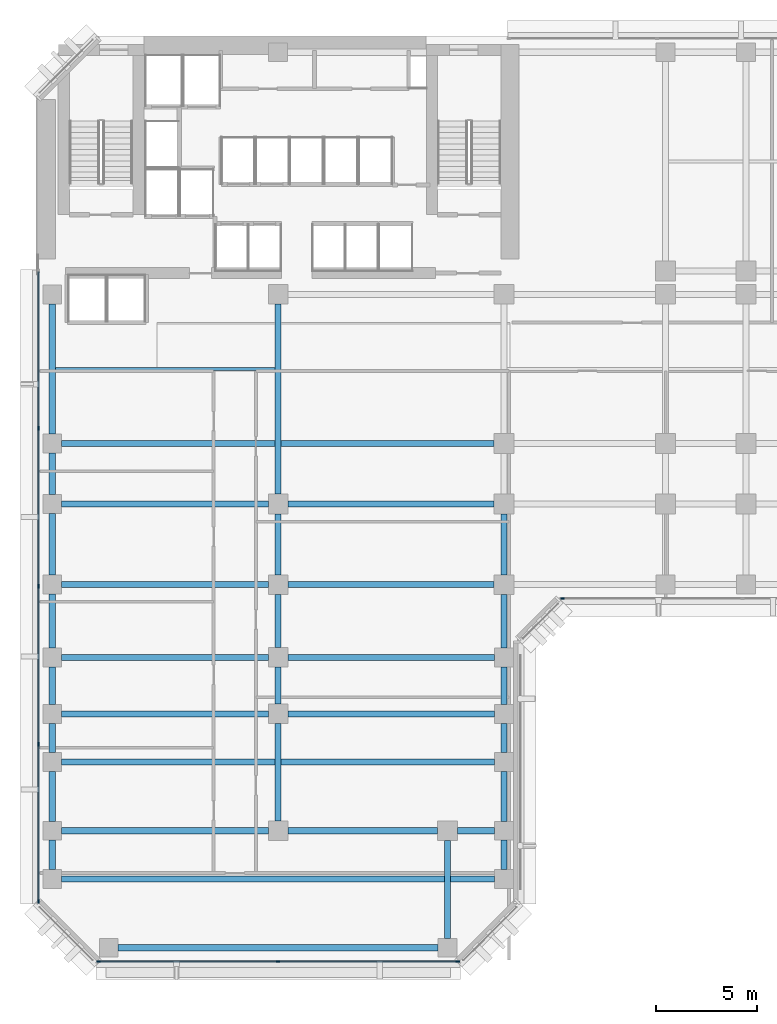
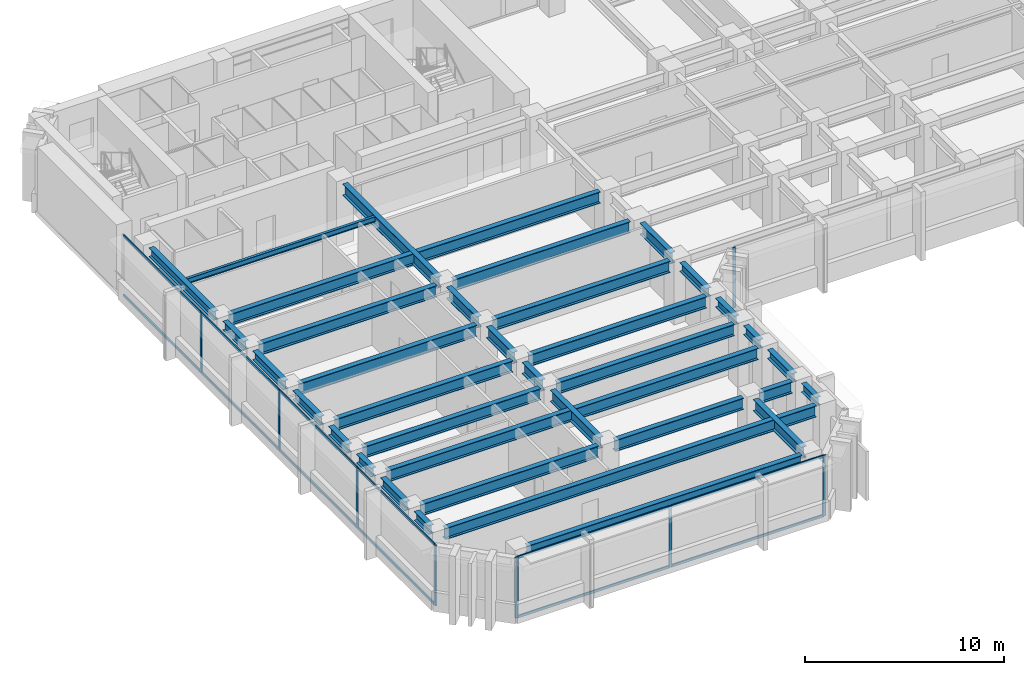
# One storey, part 2 of 13: 36 beams, 20 members, 3 elements without a shape of their own.
"""IFC4 building model written with IfcOpenShell, lengths in metres."""

from ifc_helpers import new_model, si_unit, direction, frame, origin, origin_2d, place, context, subcontext, project, spatial, rectangle, i_section, extrude, material, layer, layer_set, material_profile, profile_set, type_object, element, aggregate, save


model = new_model("IFC4")

# Units and contexts
model_context = context("Model", 3, precision=1e-05, world=origin(), true_north=direction((0.0, 1.0)))
body_context = subcontext(model_context, "Body", "Model", "MODEL_VIEW")
ifc_project = project(units=[si_unit("LENGTHUNIT", "METRE"), si_unit("AREAUNIT", "SQUARE_METRE"), si_unit("VOLUMEUNIT", "CUBIC_METRE"), si_unit("PLANEANGLEUNIT", "RADIAN"), si_unit("MASSUNIT", "GRAM", prefix="KILO")], contexts=[model_context])

# Site, building, storey
site_placement = place(None, origin())
site = spatial("IfcSite", under=ifc_project, at=site_placement, CompositionType="ELEMENT")
building_placement = place(site_placement, origin())
building = spatial("IfcBuilding", under=site, at=building_placement, Name="Kefirva Bronze Tower", CompositionType="ELEMENT")
storey_placement = place(building_placement, frame((0.0, 0.0, 54.1201171875)))
storey = spatial("IfcBuildingStorey", under=building, at=storey_placement, Name="L12", CompositionType="ELEMENT", Elevation=54.1201171875)

# Curtain wall, members
ifc_material_1 = material(Name="Bronze anodised aluminium", Category="aluminium")
ifc_layer = layer(ifc_material_1, 0.199951171875, Name="Bronze anodised aluminium")
ifc_layer_set = layer_set([ifc_layer], Name="Bronze anodised aluminium")
curtain_wall_type = type_object("IfcCurtainWallType", Name="Unitised Bronze Ribbon Curtain Wall Zone 1", PredefinedType="USERDEFINED", material=ifc_layer_set)
curtain_wall_1_placement = place(storey_placement, origin())
curtain_wall_1 = element("IfcCurtainWall", 1, at=curtain_wall_1_placement, inside=storey, type_object=curtain_wall_type, Name="L12 Curtain Wall 1", ObjectType="UNITISED CURTAIN WALL", PredefinedType="USERDEFINED")
ifc_material_profile_1 = material_profile(ifc_material_1, rectangle(XDim=0.074951171875, YDim=0.179931640625, at=origin_2d()), Name="ALU 75x180")
ifc_profile_set_1 = profile_set([ifc_material_profile_1], Name="Bronze anodised aluminium")
member_type_1 = type_object("IfcMemberType", Name="Bronze Mullion 75x180", PredefinedType="MULLION", material=ifc_profile_set_1)
member_1_placement = place(storey_placement, frame((3.092529296875, 0.1201171875, 0.0), z_axis=(0.0, 0.0, 1.0), x_axis=(0.0, 1.0, 0.0)))
member_1 = element("IfcMember", 2, at=member_1_placement, type_object=member_type_1, Name="CW-01 mullion 1", PredefinedType="MULLION", context=body_context, shape_type="SweptSolid", body=[
    extrude(rectangle(XDim=0.074951171875, YDim=0.179931640625, at=origin_2d()), origin(), (0.0, 0.0, 1.0), 3.7099609375),
])
member_2_placement = place(storey_placement, frame((12.0, 0.1201171875, 0.0), z_axis=(0.0, 0.0, 1.0), x_axis=(0.0, 1.0, 0.0)))
member_2 = element("IfcMember", 3, at=member_2_placement, type_object=member_type_1, Name="CW-01 mullion 2", PredefinedType="MULLION", context=body_context, shape_type="SweptSolid", body=[
    extrude(rectangle(XDim=0.074951171875, YDim=0.179931640625, at=origin_2d()), origin(), (0.0, 0.0, 1.0), 3.7099609375),
])
member_3_placement = place(storey_placement, frame((20.907470703125, 0.1201171875, 0.0), z_axis=(0.0, 0.0, 1.0), x_axis=(0.0, 1.0, 0.0)))
member_3 = element("IfcMember", 4, at=member_3_placement, type_object=member_type_1, Name="CW-01 mullion 3", PredefinedType="MULLION", context=body_context, shape_type="SweptSolid", body=[
    extrude(rectangle(XDim=0.074951171875, YDim=0.179931640625, at=origin_2d()), origin(), (0.0, 0.0, 1.0), 3.7099609375),
])

# Curtain wall, member
curtain_wall_2_placement = place(storey_placement, origin())
curtain_wall_2 = element("IfcCurtainWall", 5, at=curtain_wall_2_placement, inside=storey, type_object=curtain_wall_type, Name="L12 Curtain Wall 2", ObjectType="UNITISED CURTAIN WALL", PredefinedType="USERDEFINED")
member_4_placement = place(storey_placement, frame((26.092529296875, 18.1201171875, 0.0), z_axis=(0.0, 0.0, 1.0), x_axis=(0.0, 1.0, 0.0)))
member_4 = element("IfcMember", 6, at=member_4_placement, type_object=member_type_1, Name="CW-01 mullion 1", PredefinedType="MULLION", context=body_context, shape_type="SweptSolid", body=[
    extrude(rectangle(XDim=0.074951171875, YDim=0.179931640625, at=origin_2d()), origin(), (0.0, 0.0, 1.0), 3.7099609375),
])
aggregate(curtain_wall_2, [member_4])

# Curtain wall, members
curtain_wall_3_placement = place(storey_placement, origin())
curtain_wall_3 = element("IfcCurtainWall", 7, at=curtain_wall_3_placement, inside=storey, type_object=curtain_wall_type, Name="L12 Curtain Wall 5", ObjectType="UNITISED CURTAIN WALL", PredefinedType="USERDEFINED")
member_5_placement = place(storey_placement, frame((0.1201171875, 26.56005859375, 0.0), z_axis=(0.0, 0.0, 1.0), x_axis=(1.0, 0.0, 0.0)))
member_5 = element("IfcMember", 8, at=member_5_placement, type_object=member_type_1, Name="CW-01 mullion 2", PredefinedType="MULLION", context=body_context, shape_type="SweptSolid", body=[
    extrude(rectangle(XDim=0.074951171875, YDim=0.179931640625, at=origin_2d()), origin(), (0.0, 0.0, 1.0), 3.7099609375),
])
member_6_placement = place(storey_placement, frame((0.1201171875, 18.72509765625, 0.0), z_axis=(0.0, 0.0, 1.0), x_axis=(1.0, 0.0, 0.0)))
member_6 = element("IfcMember", 9, at=member_6_placement, type_object=member_type_1, Name="CW-01 mullion 3", PredefinedType="MULLION", context=body_context, shape_type="SweptSolid", body=[
    extrude(rectangle(XDim=0.074951171875, YDim=0.179931640625, at=origin_2d()), origin(), (0.0, 0.0, 1.0), 3.7099609375),
])
member_7_placement = place(storey_placement, frame((0.1201171875, 10.889892578125, 0.0), z_axis=(0.0, 0.0, 1.0), x_axis=(1.0, 0.0, 0.0)))
member_7 = element("IfcMember", 10, at=member_7_placement, type_object=member_type_1, Name="CW-01 mullion 4", PredefinedType="MULLION", context=body_context, shape_type="SweptSolid", body=[
    extrude(rectangle(XDim=0.074951171875, YDim=0.179931640625, at=origin_2d()), origin(), (0.0, 0.0, 1.0), 3.7099609375),
])
member_8_placement = place(storey_placement, frame((0.1201171875, 3.092529296875, 0.0), z_axis=(0.0, 0.0, 1.0), x_axis=(1.0, 0.0, 0.0)))
member_8 = element("IfcMember", 11, at=member_8_placement, type_object=member_type_1, Name="CW-01 mullion 5", PredefinedType="MULLION", context=body_context, shape_type="SweptSolid", body=[
    extrude(rectangle(XDim=0.074951171875, YDim=0.179931640625, at=origin_2d()), origin(), (0.0, 0.0, 1.0), 3.7099609375),
])

# Member
ifc_material_profile_2 = material_profile(ifc_material_1, rectangle(XDim=0.074951171875, YDim=0.14990234375, at=origin_2d()), Name="ALU 75x150")
ifc_profile_set_2 = profile_set([ifc_material_profile_2], Name="Bronze anodised aluminium")
member_type_2 = type_object("IfcMemberType", Name="Bronze Transom 75x150", PredefinedType="USERDEFINED", material=ifc_profile_set_2)
member_9_placement = place(storey_placement, frame((3.1298828125, 0.1201171875, 0.037353515625), z_axis=(1.0, 0.0, 0.0), x_axis=(0.0, 1.0, 0.0)))
member_9 = element("IfcMember", 12, at=member_9_placement, type_object=member_type_2, Name="CW-01 transom 1.1", ObjectType="TRANSOM", PredefinedType="USERDEFINED", context=body_context, shape_type="SweptSolid", body=[
    extrude(rectangle(XDim=0.074951171875, YDim=0.14990234375, at=origin_2d()), origin(), (0.0, 0.0, 1.0), 8.83251953125),
])

member_10_placement = place(storey_placement, frame((3.1298828125, 0.1201171875, 3.67236328125), z_axis=(1.0, 0.0, 0.0), x_axis=(0.0, 1.0, 0.0)))
member_10 = element("IfcMember", 13, at=member_10_placement, type_object=member_type_2, Name="CW-01 transom 1.2", ObjectType="TRANSOM", PredefinedType="USERDEFINED", context=body_context, shape_type="SweptSolid", body=[
    extrude(rectangle(XDim=0.074951171875, YDim=0.14990234375, at=origin_2d()), origin(), (0.0, 0.0, 1.0), 8.83251953125),
])

member_11_placement = place(storey_placement, frame((12.03759765625, 0.1201171875, 0.037353515625), z_axis=(1.0, 0.0, 0.0), x_axis=(0.0, 1.0, 0.0)))
member_11 = element("IfcMember", 14, at=member_11_placement, type_object=member_type_2, Name="CW-01 transom 2.1", ObjectType="TRANSOM", PredefinedType="USERDEFINED", context=body_context, shape_type="SweptSolid", body=[
    extrude(rectangle(XDim=0.074951171875, YDim=0.14990234375, at=origin_2d()), origin(), (0.0, 0.0, 1.0), 8.83251953125),
])

member_12_placement = place(storey_placement, frame((12.03759765625, 0.1201171875, 3.67236328125), z_axis=(1.0, 0.0, 0.0), x_axis=(0.0, 1.0, 0.0)))
member_12 = element("IfcMember", 15, at=member_12_placement, type_object=member_type_2, Name="CW-01 transom 2.2", ObjectType="TRANSOM", PredefinedType="USERDEFINED", context=body_context, shape_type="SweptSolid", body=[
    extrude(rectangle(XDim=0.074951171875, YDim=0.14990234375, at=origin_2d()), origin(), (0.0, 0.0, 1.0), 8.83251953125),
])

aggregate(curtain_wall_1, [member_1, member_2, member_3, member_9, member_10, member_11, member_12])

member_13_placement = place(storey_placement, frame((0.1201171875, 34.320068359375, 0.037353515625), z_axis=(0.0, -1.0, 0.0), x_axis=(1.0, 0.0, 0.0)))
member_13 = element("IfcMember", 16, at=member_13_placement, type_object=member_type_2, Name="CW-01 transom 1.1", ObjectType="TRANSOM", PredefinedType="USERDEFINED", context=body_context, shape_type="SweptSolid", body=[
    extrude(rectangle(XDim=0.074951171875, YDim=0.14990234375, at=origin_2d()), origin(), (0.0, 0.0, 1.0), 7.72265625),
])

member_14_placement = place(storey_placement, frame((0.1201171875, 34.320068359375, 3.67236328125), z_axis=(0.0, -1.0, 0.0), x_axis=(1.0, 0.0, 0.0)))
member_14 = element("IfcMember", 17, at=member_14_placement, type_object=member_type_2, Name="CW-01 transom 1.2", ObjectType="TRANSOM", PredefinedType="USERDEFINED", context=body_context, shape_type="SweptSolid", body=[
    extrude(rectangle(XDim=0.074951171875, YDim=0.14990234375, at=origin_2d()), origin(), (0.0, 0.0, 1.0), 7.72265625),
])

member_15_placement = place(storey_placement, frame((0.1201171875, 26.5224609375, 0.037353515625), z_axis=(0.0, -1.0, 0.0), x_axis=(1.0, 0.0, 0.0)))
member_15 = element("IfcMember", 18, at=member_15_placement, type_object=member_type_2, Name="CW-01 transom 2.1", ObjectType="TRANSOM", PredefinedType="USERDEFINED", context=body_context, shape_type="SweptSolid", body=[
    extrude(rectangle(XDim=0.074951171875, YDim=0.14990234375, at=origin_2d()), origin(), (0.0, 0.0, 1.0), 7.760009765625),
])

member_16_placement = place(storey_placement, frame((0.1201171875, 26.5224609375, 3.67236328125), z_axis=(0.0, -1.0, 0.0), x_axis=(1.0, 0.0, 0.0)))
member_16 = element("IfcMember", 19, at=member_16_placement, type_object=member_type_2, Name="CW-01 transom 2.2", ObjectType="TRANSOM", PredefinedType="USERDEFINED", context=body_context, shape_type="SweptSolid", body=[
    extrude(rectangle(XDim=0.074951171875, YDim=0.14990234375, at=origin_2d()), origin(), (0.0, 0.0, 1.0), 7.760009765625),
])

member_17_placement = place(storey_placement, frame((0.1201171875, 18.6875, 0.037353515625), z_axis=(0.0, -1.0, 0.0), x_axis=(1.0, 0.0, 0.0)))
member_17 = element("IfcMember", 20, at=member_17_placement, type_object=member_type_2, Name="CW-01 transom 3.1", ObjectType="TRANSOM", PredefinedType="USERDEFINED", context=body_context, shape_type="SweptSolid", body=[
    extrude(rectangle(XDim=0.074951171875, YDim=0.14990234375, at=origin_2d()), origin(), (0.0, 0.0, 1.0), 7.760009765625),
])

member_18_placement = place(storey_placement, frame((0.1201171875, 18.6875, 3.67236328125), z_axis=(0.0, -1.0, 0.0), x_axis=(1.0, 0.0, 0.0)))
member_18 = element("IfcMember", 21, at=member_18_placement, type_object=member_type_2, Name="CW-01 transom 3.2", ObjectType="TRANSOM", PredefinedType="USERDEFINED", context=body_context, shape_type="SweptSolid", body=[
    extrude(rectangle(XDim=0.074951171875, YDim=0.14990234375, at=origin_2d()), origin(), (0.0, 0.0, 1.0), 7.760009765625),
])

member_19_placement = place(storey_placement, frame((0.1201171875, 10.8525390625, 0.037353515625), z_axis=(0.0, -1.0, 0.0), x_axis=(1.0, 0.0, 0.0)))
member_19 = element("IfcMember", 22, at=member_19_placement, type_object=member_type_2, Name="CW-01 transom 4.1", ObjectType="TRANSOM", PredefinedType="USERDEFINED", context=body_context, shape_type="SweptSolid", body=[
    extrude(rectangle(XDim=0.074951171875, YDim=0.14990234375, at=origin_2d()), origin(), (0.0, 0.0, 1.0), 7.72265625),
])

member_20_placement = place(storey_placement, frame((0.1201171875, 10.8525390625, 3.67236328125), z_axis=(0.0, -1.0, 0.0), x_axis=(1.0, 0.0, 0.0)))
member_20 = element("IfcMember", 23, at=member_20_placement, type_object=member_type_2, Name="CW-01 transom 4.2", ObjectType="TRANSOM", PredefinedType="USERDEFINED", context=body_context, shape_type="SweptSolid", body=[
    extrude(rectangle(XDim=0.074951171875, YDim=0.14990234375, at=origin_2d()), origin(), (0.0, 0.0, 1.0), 7.72265625),
])

aggregate(curtain_wall_3, [member_5, member_6, member_7, member_8, member_13, member_14, member_15, member_16, member_17, member_18, member_19, member_20])

# Beams
ifc_material_2 = material(Name="Steel S355", Category="steel")
ifc_material_profile_3 = material_profile(ifc_material_2, i_section(OverallWidth=0.159912109375, OverallDepth=0.330078125, WebThickness=0.007568359375, FlangeThickness=0.011474609375, at=origin_2d()), Name="IPE 330")
ifc_profile_set_3 = profile_set([ifc_material_profile_3], Name="Steel S355")
beam_type_1 = type_object("IfcBeamType", Name="Steel Floor Joist IPE 330", PredefinedType="JOIST", material=ifc_profile_set_3)
beam_1_placement = place(storey_placement, frame((0.949951171875, 29.489990234375, 3.544921875), z_axis=(1.0, 0.0, 0.0), x_axis=(0.0, 1.0, 0.0)))
element("IfcBeam", 24, at=beam_1_placement, inside=storey, type_object=beam_type_1, Name="L12 JST-L12-0-294", PredefinedType="JOIST", context=body_context, shape_type="SweptSolid", body=[
    extrude(i_section(OverallWidth=0.159912109375, OverallDepth=0.330078125, WebThickness=0.007568359375, FlangeThickness=0.011474609375, at=origin_2d()), origin(), (0.0, 0.0, 1.0), 10.900146484375),
])
ifc_material_profile_4 = material_profile(ifc_material_2, i_section(OverallWidth=0.300048828125, OverallDepth=0.699951171875, WebThickness=0.01708984375, FlangeThickness=0.031982421875, at=origin_2d()), Name="HEB 700")
ifc_profile_set_4 = profile_set([ifc_material_profile_4], Name="Steel S355")
beam_type_2 = type_object("IfcBeamType", Name="Steel Girder HEB 700", PredefinedType="USERDEFINED", material=ifc_profile_set_4)
beam_2_placement = place(storey_placement, frame((1.27001953125, 4.199951171875, 3.35986328125), z_axis=(1.0, 0.0, 0.0), x_axis=(0.0, 1.0, 0.0)))
element("IfcBeam", 25, at=beam_2_placement, inside=storey, type_object=beam_type_2, Name="L12 BM-L12-EW-0-42", ObjectType="GIRDER", PredefinedType="USERDEFINED", context=body_context, shape_type="SweptSolid", body=[
    extrude(i_section(OverallWidth=0.300048828125, OverallDepth=0.699951171875, WebThickness=0.01708984375, FlangeThickness=0.031982421875, at=origin_2d()), origin(), (0.0, 0.0, 1.0), 21.4599609375),
])
beam_3_placement = place(storey_placement, frame((1.27001953125, 6.60009765625, 3.35986328125), z_axis=(1.0, 0.0, 0.0), x_axis=(0.0, 1.0, 0.0)))
element("IfcBeam", 26, at=beam_3_placement, inside=storey, type_object=beam_type_2, Name="L12 BM-L12-EW-0-66", ObjectType="GIRDER", PredefinedType="USERDEFINED", context=body_context, shape_type="SweptSolid", body=[
    extrude(i_section(OverallWidth=0.300048828125, OverallDepth=0.699951171875, WebThickness=0.01708984375, FlangeThickness=0.031982421875, at=origin_2d()), origin(), (0.0, 0.0, 1.0), 10.239990234375),
])
beam_4_placement = place(storey_placement, frame((12.489990234375, 6.60009765625, 3.35986328125), z_axis=(1.0, 0.0, 0.0), x_axis=(0.0, 1.0, 0.0)))
element("IfcBeam", 27, at=beam_4_placement, inside=storey, type_object=beam_type_2, Name="L12 BM-L12-EW-12-66", ObjectType="GIRDER", PredefinedType="USERDEFINED", context=body_context, shape_type="SweptSolid", body=[
    extrude(i_section(OverallWidth=0.300048828125, OverallDepth=0.699951171875, WebThickness=0.01708984375, FlangeThickness=0.031982421875, at=origin_2d()), origin(), (0.0, 0.0, 1.0), 7.419921875),
])
beam_5_placement = place(storey_placement, frame((20.889892578125, 6.60009765625, 3.35986328125), z_axis=(1.0, 0.0, 0.0), x_axis=(0.0, 1.0, 0.0)))
element("IfcBeam", 28, at=beam_5_placement, inside=storey, type_object=beam_type_2, Name="L12 BM-L12-EW-20-66", ObjectType="GIRDER", PredefinedType="USERDEFINED", context=body_context, shape_type="SweptSolid", body=[
    extrude(i_section(OverallWidth=0.300048828125, OverallDepth=0.699951171875, WebThickness=0.01708984375, FlangeThickness=0.031982421875, at=origin_2d()), origin(), (0.0, 0.0, 1.0), 1.840087890625),
])
beam_6_placement = place(storey_placement, frame((1.27001953125, 10.0, 3.35986328125), z_axis=(1.0, 0.0, 0.0), x_axis=(0.0, 1.0, 0.0)))
element("IfcBeam", 29, at=beam_6_placement, inside=storey, type_object=beam_type_2, Name="L12 BM-L12-EW-0-100", ObjectType="GIRDER", PredefinedType="USERDEFINED", context=body_context, shape_type="SweptSolid", body=[
    extrude(i_section(OverallWidth=0.300048828125, OverallDepth=0.699951171875, WebThickness=0.01708984375, FlangeThickness=0.031982421875, at=origin_2d()), origin(), (0.0, 0.0, 1.0), 21.4599609375),
])
for number, where, z_axis, x_axis, name in (
    (30, (1.27001953125, 12.39990234375, 3.35986328125), (1.0, 0.0, 0.0), (0.0, 1.0, 0.0), "L12 BM-L12-EW-0-124"),
    (31, (12.489990234375, 12.39990234375, 3.35986328125), (1.0, 0.0, 0.0), (0.0, 1.0, 0.0), "L12 BM-L12-EW-12-124"),
    (32, (1.27001953125, 15.199951171875, 3.35986328125), (1.0, 0.0, 0.0), (0.0, 1.0, 0.0), "L12 BM-L12-EW-0-152"),
    (33, (12.489990234375, 15.199951171875, 3.35986328125), (1.0, 0.0, 0.0), (0.0, 1.0, 0.0), "L12 BM-L12-EW-12-152"),
    (34, (1.27001953125, 18.800048828125, 3.35986328125), (1.0, 0.0, 0.0), (0.0, 1.0, 0.0), "L12 BM-L12-EW-0-188"),
):
    element("IfcBeam", number, at=place(storey_placement, frame(where, z_axis=z_axis, x_axis=x_axis)), inside=storey, type_object=beam_type_2, Name=name, ObjectType="GIRDER", PredefinedType="USERDEFINED", context=body_context, shape_type="SweptSolid", body=[
        extrude(i_section(OverallWidth=0.300048828125, OverallDepth=0.699951171875, WebThickness=0.01708984375, FlangeThickness=0.031982421875, at=origin_2d()), origin(), (0.0, 0.0, 1.0), 10.239990234375),
    ])
beam_7_placement = place(storey_placement, frame((12.489990234375, 18.800048828125, 3.35986328125), z_axis=(1.0, 0.0, 0.0), x_axis=(0.0, 1.0, 0.0)))
element("IfcBeam", 35, at=beam_7_placement, inside=storey, type_object=beam_type_2, Name="L12 BM-L12-EW-12-188", ObjectType="GIRDER", PredefinedType="USERDEFINED", context=body_context, shape_type="SweptSolid", body=[
    extrude(i_section(OverallWidth=0.300048828125, OverallDepth=0.699951171875, WebThickness=0.01708984375, FlangeThickness=0.031982421875, at=origin_2d()), origin(), (0.0, 0.0, 1.0), 10.219970703125),
])
beam_8_placement = place(storey_placement, frame((1.27001953125, 22.800048828125, 3.35986328125), z_axis=(1.0, 0.0, 0.0), x_axis=(0.0, 1.0, 0.0)))
element("IfcBeam", 36, at=beam_8_placement, inside=storey, type_object=beam_type_2, Name="L12 BM-L12-EW-0-228", ObjectType="GIRDER", PredefinedType="USERDEFINED", context=body_context, shape_type="SweptSolid", body=[
    extrude(i_section(OverallWidth=0.300048828125, OverallDepth=0.699951171875, WebThickness=0.01708984375, FlangeThickness=0.031982421875, at=origin_2d()), origin(), (0.0, 0.0, 1.0), 10.239990234375),
])
beam_9_placement = place(storey_placement, frame((12.489990234375, 22.800048828125, 3.35986328125), z_axis=(1.0, 0.0, 0.0), x_axis=(0.0, 1.0, 0.0)))
element("IfcBeam", 37, at=beam_9_placement, inside=storey, type_object=beam_type_2, Name="L12 BM-L12-EW-12-228", ObjectType="GIRDER", PredefinedType="USERDEFINED", context=body_context, shape_type="SweptSolid", body=[
    extrude(i_section(OverallWidth=0.300048828125, OverallDepth=0.699951171875, WebThickness=0.01708984375, FlangeThickness=0.031982421875, at=origin_2d()), origin(), (0.0, 0.0, 1.0), 10.219970703125),
])
beam_10_placement = place(storey_placement, frame((1.27001953125, 25.800048828125, 3.35986328125), z_axis=(1.0, 0.0, 0.0), x_axis=(0.0, 1.0, 0.0)))
element("IfcBeam", 38, at=beam_10_placement, inside=storey, type_object=beam_type_2, Name="L12 BM-L12-EW-0-258", ObjectType="GIRDER", PredefinedType="USERDEFINED", context=body_context, shape_type="SweptSolid", body=[
    extrude(i_section(OverallWidth=0.300048828125, OverallDepth=0.699951171875, WebThickness=0.01708984375, FlangeThickness=0.031982421875, at=origin_2d()), origin(), (0.0, 0.0, 1.0), 21.43994140625),
])
beam_11_placement = place(storey_placement, frame((12.0, 7.090087890625, 3.35986328125), z_axis=(0.0, 1.0, 0.0), x_axis=(-1.0, 0.0, 0.0)))
element("IfcBeam", 39, at=beam_11_placement, inside=storey, type_object=beam_type_2, Name="L12 BM-L12-NS-120-6", ObjectType="GIRDER", PredefinedType="USERDEFINED", context=body_context, shape_type="SweptSolid", body=[
    extrude(i_section(OverallWidth=0.300048828125, OverallDepth=0.699951171875, WebThickness=0.01708984375, FlangeThickness=0.031982421875, at=origin_2d()), origin(), (0.0, 0.0, 1.0), 4.81982421875),
])
beam_12_placement = place(storey_placement, frame((12.0, 12.889892578125, 3.35986328125), z_axis=(0.0, 1.0, 0.0), x_axis=(-1.0, 0.0, 0.0)))
element("IfcBeam", 40, at=beam_12_placement, inside=storey, type_object=beam_type_2, Name="L12 BM-L12-NS-120-12", ObjectType="GIRDER", PredefinedType="USERDEFINED", context=body_context, shape_type="SweptSolid", body=[
    extrude(i_section(OverallWidth=0.300048828125, OverallDepth=0.699951171875, WebThickness=0.01708984375, FlangeThickness=0.031982421875, at=origin_2d()), origin(), (0.0, 0.0, 1.0), 1.820068359375),
])
beam_13_placement = place(storey_placement, frame((12.0, 15.68994140625, 3.35986328125), z_axis=(0.0, 1.0, 0.0), x_axis=(-1.0, 0.0, 0.0)))
element("IfcBeam", 41, at=beam_13_placement, inside=storey, type_object=beam_type_2, Name="L12 BM-L12-NS-120-15", ObjectType="GIRDER", PredefinedType="USERDEFINED", context=body_context, shape_type="SweptSolid", body=[
    extrude(i_section(OverallWidth=0.300048828125, OverallDepth=0.699951171875, WebThickness=0.01708984375, FlangeThickness=0.031982421875, at=origin_2d()), origin(), (0.0, 0.0, 1.0), 2.6201171875),
])
beam_14_placement = place(storey_placement, frame((12.0, 19.2900390625, 3.35986328125), z_axis=(0.0, 1.0, 0.0), x_axis=(-1.0, 0.0, 0.0)))
element("IfcBeam", 42, at=beam_14_placement, inside=storey, type_object=beam_type_2, Name="L12 BM-L12-NS-120-18", ObjectType="GIRDER", PredefinedType="USERDEFINED", context=body_context, shape_type="SweptSolid", body=[
    extrude(i_section(OverallWidth=0.300048828125, OverallDepth=0.699951171875, WebThickness=0.01708984375, FlangeThickness=0.031982421875, at=origin_2d()), origin(), (0.0, 0.0, 1.0), 3.02001953125),
])
beam_15_placement = place(storey_placement, frame((12.0, 23.2900390625, 3.35986328125), z_axis=(0.0, 1.0, 0.0), x_axis=(-1.0, 0.0, 0.0)))
element("IfcBeam", 43, at=beam_15_placement, inside=storey, type_object=beam_type_2, Name="L12 BM-L12-NS-120-22", ObjectType="GIRDER", PredefinedType="USERDEFINED", context=body_context, shape_type="SweptSolid", body=[
    extrude(i_section(OverallWidth=0.300048828125, OverallDepth=0.699951171875, WebThickness=0.01708984375, FlangeThickness=0.031982421875, at=origin_2d()), origin(), (0.0, 0.0, 1.0), 9.419921875),
])
beam_16_placement = place(storey_placement, frame((20.39990234375, 1.27001953125, 3.35986328125), z_axis=(0.0, 1.0, 0.0), x_axis=(-1.0, 0.0, 0.0)))
element("IfcBeam", 44, at=beam_16_placement, inside=storey, type_object=beam_type_2, Name="L12 BM-L12-NS-204-0", ObjectType="GIRDER", PredefinedType="USERDEFINED", context=body_context, shape_type="SweptSolid", body=[
    extrude(i_section(OverallWidth=0.300048828125, OverallDepth=0.699951171875, WebThickness=0.01708984375, FlangeThickness=0.031982421875, at=origin_2d()), origin(), (0.0, 0.0, 1.0), 4.840087890625),
])
beam_17_placement = place(storey_placement, frame((23.199951171875, 19.2900390625, 3.35986328125), z_axis=(0.0, 1.0, 0.0), x_axis=(-1.0, 0.0, 0.0)))
element("IfcBeam", 45, at=beam_17_placement, inside=storey, type_object=beam_type_2, Name="L12 BM-L12-NS-232-18", ObjectType="GIRDER", PredefinedType="USERDEFINED", context=body_context, shape_type="SweptSolid", body=[
    extrude(i_section(OverallWidth=0.300048828125, OverallDepth=0.699951171875, WebThickness=0.01708984375, FlangeThickness=0.031982421875, at=origin_2d()), origin(), (0.0, 0.0, 1.0), 3.02001953125),
])
ifc_material_profile_5 = material_profile(ifc_material_2, i_section(OverallWidth=0.300048828125, OverallDepth=0.550048828125, WebThickness=0.014892578125, FlangeThickness=0.029052734375, at=origin_2d()), Name="HEB 550")
ifc_profile_set_5 = profile_set([ifc_material_profile_5], Name="Steel S355")
beam_type_3 = type_object("IfcBeamType", Name="Steel Spandrel HEB 550 Ext", PredefinedType="SPANDREL", material=ifc_profile_set_5)
beam_18_placement = place(storey_placement, frame((4.070068359375, 0.800048828125, 3.434814453125), z_axis=(1.0, 0.0, 0.0), x_axis=(0.0, 1.0, 0.0)))
element("IfcBeam", 46, at=beam_18_placement, inside=storey, type_object=beam_type_3, Name="L12 BM-L12-EW-3-8", PredefinedType="SPANDREL", context=body_context, shape_type="SweptSolid", body=[
    extrude(i_section(OverallWidth=0.300048828125, OverallDepth=0.550048828125, WebThickness=0.014892578125, FlangeThickness=0.029052734375, at=origin_2d()), origin(), (0.0, 0.0, 1.0), 15.85986328125),
])
beam_19_placement = place(storey_placement, frame((0.800048828125, 4.669921875, 3.434814453125), z_axis=(0.0, 1.0, 0.0), x_axis=(-1.0, 0.0, 0.0)))
element("IfcBeam", 47, at=beam_19_placement, inside=storey, type_object=beam_type_3, Name="L12 BM-L12-NS-8-4", PredefinedType="SPANDREL", context=body_context, shape_type="SweptSolid", body=[
    extrude(i_section(OverallWidth=0.300048828125, OverallDepth=0.550048828125, WebThickness=0.014892578125, FlangeThickness=0.029052734375, at=origin_2d()), origin(), (0.0, 0.0, 1.0), 1.4599609375),
])
beam_20_placement = place(storey_placement, frame((0.800048828125, 7.070068359375, 3.434814453125), z_axis=(0.0, 1.0, 0.0), x_axis=(-1.0, 0.0, 0.0)))
element("IfcBeam", 48, at=beam_20_placement, inside=storey, type_object=beam_type_3, Name="L12 BM-L12-NS-8-6", PredefinedType="SPANDREL", context=body_context, shape_type="SweptSolid", body=[
    extrude(i_section(OverallWidth=0.300048828125, OverallDepth=0.550048828125, WebThickness=0.014892578125, FlangeThickness=0.029052734375, at=origin_2d()), origin(), (0.0, 0.0, 1.0), 2.4599609375),
])
beam_21_placement = place(storey_placement, frame((0.800048828125, 10.469970703125, 3.434814453125), z_axis=(0.0, 1.0, 0.0), x_axis=(-1.0, 0.0, 0.0)))
element("IfcBeam", 49, at=beam_21_placement, inside=storey, type_object=beam_type_3, Name="L12 BM-L12-NS-8-10", PredefinedType="SPANDREL", context=body_context, shape_type="SweptSolid", body=[
    extrude(i_section(OverallWidth=0.300048828125, OverallDepth=0.550048828125, WebThickness=0.014892578125, FlangeThickness=0.029052734375, at=origin_2d()), origin(), (0.0, 0.0, 1.0), 1.4599609375),
])
beam_22_placement = place(storey_placement, frame((0.800048828125, 12.8701171875, 3.434814453125), z_axis=(0.0, 1.0, 0.0), x_axis=(-1.0, 0.0, 0.0)))
element("IfcBeam", 50, at=beam_22_placement, inside=storey, type_object=beam_type_3, Name="L12 BM-L12-NS-8-12", PredefinedType="SPANDREL", context=body_context, shape_type="SweptSolid", body=[
    extrude(i_section(OverallWidth=0.300048828125, OverallDepth=0.550048828125, WebThickness=0.014892578125, FlangeThickness=0.029052734375, at=origin_2d()), origin(), (0.0, 0.0, 1.0), 1.85986328125),
])
beam_23_placement = place(storey_placement, frame((0.800048828125, 15.669921875, 3.434814453125), z_axis=(0.0, 1.0, 0.0), x_axis=(-1.0, 0.0, 0.0)))
element("IfcBeam", 51, at=beam_23_placement, inside=storey, type_object=beam_type_3, Name="L12 BM-L12-NS-8-15", PredefinedType="SPANDREL", context=body_context, shape_type="SweptSolid", body=[
    extrude(i_section(OverallWidth=0.300048828125, OverallDepth=0.550048828125, WebThickness=0.014892578125, FlangeThickness=0.029052734375, at=origin_2d()), origin(), (0.0, 0.0, 1.0), 2.66015625),
])
beam_24_placement = place(storey_placement, frame((0.800048828125, 19.27001953125, 3.434814453125), z_axis=(0.0, 1.0, 0.0), x_axis=(-1.0, 0.0, 0.0)))
element("IfcBeam", 52, at=beam_24_placement, inside=storey, type_object=beam_type_3, Name="L12 BM-L12-NS-8-18", PredefinedType="SPANDREL", context=body_context, shape_type="SweptSolid", body=[
    extrude(i_section(OverallWidth=0.300048828125, OverallDepth=0.550048828125, WebThickness=0.014892578125, FlangeThickness=0.029052734375, at=origin_2d()), origin(), (0.0, 0.0, 1.0), 3.06005859375),
])
beam_25_placement = place(storey_placement, frame((0.800048828125, 23.27001953125, 3.434814453125), z_axis=(0.0, 1.0, 0.0), x_axis=(-1.0, 0.0, 0.0)))
element("IfcBeam", 53, at=beam_25_placement, inside=storey, type_object=beam_type_3, Name="L12 BM-L12-NS-8-22", PredefinedType="SPANDREL", context=body_context, shape_type="SweptSolid", body=[
    extrude(i_section(OverallWidth=0.300048828125, OverallDepth=0.550048828125, WebThickness=0.014892578125, FlangeThickness=0.029052734375, at=origin_2d()), origin(), (0.0, 0.0, 1.0), 2.06005859375),
])
beam_26_placement = place(storey_placement, frame((0.800048828125, 26.27001953125, 3.434814453125), z_axis=(0.0, 1.0, 0.0), x_axis=(-1.0, 0.0, 0.0)))
element("IfcBeam", 54, at=beam_26_placement, inside=storey, type_object=beam_type_3, Name="L12 BM-L12-NS-8-25", PredefinedType="SPANDREL", context=body_context, shape_type="SweptSolid", body=[
    extrude(i_section(OverallWidth=0.300048828125, OverallDepth=0.550048828125, WebThickness=0.014892578125, FlangeThickness=0.029052734375, at=origin_2d()), origin(), (0.0, 0.0, 1.0), 6.4599609375),
])
beam_27_placement = place(storey_placement, frame((23.199951171875, 4.669921875, 3.434814453125), z_axis=(0.0, 1.0, 0.0), x_axis=(-1.0, 0.0, 0.0)))
element("IfcBeam", 55, at=beam_27_placement, inside=storey, type_object=beam_type_3, Name="L12 BM-L12-NS-232-4", PredefinedType="SPANDREL", context=body_context, shape_type="SweptSolid", body=[
    extrude(i_section(OverallWidth=0.300048828125, OverallDepth=0.550048828125, WebThickness=0.014892578125, FlangeThickness=0.029052734375, at=origin_2d()), origin(), (0.0, 0.0, 1.0), 1.4599609375),
])
beam_28_placement = place(storey_placement, frame((23.199951171875, 7.070068359375, 3.434814453125), z_axis=(0.0, 1.0, 0.0), x_axis=(-1.0, 0.0, 0.0)))
element("IfcBeam", 56, at=beam_28_placement, inside=storey, type_object=beam_type_3, Name="L12 BM-L12-NS-232-6", PredefinedType="SPANDREL", context=body_context, shape_type="SweptSolid", body=[
    extrude(i_section(OverallWidth=0.300048828125, OverallDepth=0.550048828125, WebThickness=0.014892578125, FlangeThickness=0.029052734375, at=origin_2d()), origin(), (0.0, 0.0, 1.0), 2.4599609375),
])
beam_29_placement = place(storey_placement, frame((23.199951171875, 10.469970703125, 3.434814453125), z_axis=(0.0, 1.0, 0.0), x_axis=(-1.0, 0.0, 0.0)))
element("IfcBeam", 57, at=beam_29_placement, inside=storey, type_object=beam_type_3, Name="L12 BM-L12-NS-232-10", PredefinedType="SPANDREL", context=body_context, shape_type="SweptSolid", body=[
    extrude(i_section(OverallWidth=0.300048828125, OverallDepth=0.550048828125, WebThickness=0.014892578125, FlangeThickness=0.029052734375, at=origin_2d()), origin(), (0.0, 0.0, 1.0), 1.4599609375),
])
beam_30_placement = place(storey_placement, frame((23.199951171875, 12.8701171875, 3.434814453125), z_axis=(0.0, 1.0, 0.0), x_axis=(-1.0, 0.0, 0.0)))
element("IfcBeam", 58, at=beam_30_placement, inside=storey, type_object=beam_type_3, Name="L12 BM-L12-NS-232-12", PredefinedType="SPANDREL", context=body_context, shape_type="SweptSolid", body=[
    extrude(i_section(OverallWidth=0.300048828125, OverallDepth=0.550048828125, WebThickness=0.014892578125, FlangeThickness=0.029052734375, at=origin_2d()), origin(), (0.0, 0.0, 1.0), 1.85986328125),
])
beam_31_placement = place(storey_placement, frame((23.199951171875, 15.669921875, 3.434814453125), z_axis=(0.0, 1.0, 0.0), x_axis=(-1.0, 0.0, 0.0)))
element("IfcBeam", 59, at=beam_31_placement, inside=storey, type_object=beam_type_3, Name="L12 BM-L12-NS-232-15", PredefinedType="SPANDREL", context=body_context, shape_type="SweptSolid", body=[
    extrude(i_section(OverallWidth=0.300048828125, OverallDepth=0.550048828125, WebThickness=0.014892578125, FlangeThickness=0.029052734375, at=origin_2d()), origin(), (0.0, 0.0, 1.0), 2.64013671875),
])

save(model, "model.ifc")
